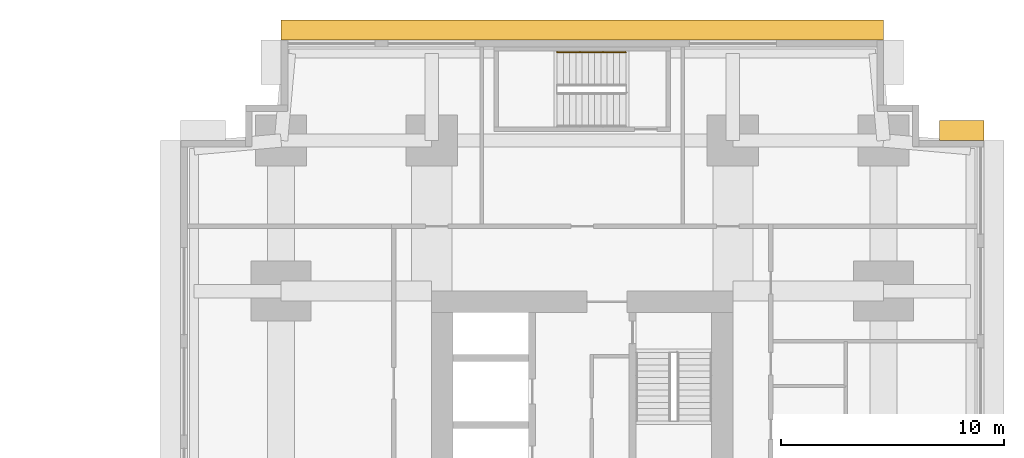
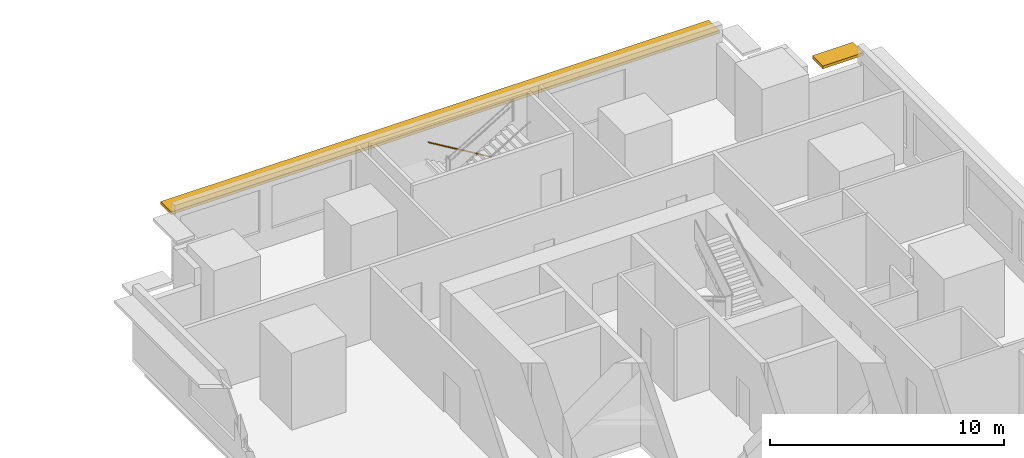
# One storey, part 11 of 11: 2 shading devices, 1 railing.
"""IFC4 building model written with IfcOpenShell, lengths in metres."""

from ifc_helpers import new_model, si_unit, direction, frame, origin, origin_2d, place, context, subcontext, project, spatial, rectangle, circle, extrude, material, layer, layer_set, type_object, element, save


model = new_model("IFC4")

# Units and contexts
model_context = context("Model", 3, precision=1e-05, world=origin(), true_north=direction((0.0, 1.0)))
body_context = subcontext(model_context, "Body", "Model", "MODEL_VIEW")
ifc_project = project(units=[si_unit("LENGTHUNIT", "METRE"), si_unit("AREAUNIT", "SQUARE_METRE"), si_unit("VOLUMEUNIT", "CUBIC_METRE"), si_unit("PLANEANGLEUNIT", "RADIAN"), si_unit("MASSUNIT", "GRAM", prefix="KILO")], contexts=[model_context])

# Site, building, storey
site_placement = place(None, origin())
site = spatial("IfcSite", under=ifc_project, at=site_placement, CompositionType="ELEMENT")
building_placement = place(site_placement, origin())
building = spatial("IfcBuilding", under=site, at=building_placement, Name="Namib Vertical Campus", CompositionType="ELEMENT")
storey_placement = place(building_placement, frame((0.0, 0.0, 41.0)))
storey = spatial("IfcBuildingStorey", under=building, at=storey_placement, Name="L09", CompositionType="ELEMENT", Elevation=41.0)

# Railing
ifc_material_1 = material(Name="Steel handrail", Category="steel")
railing_type = type_object("IfcRailingType", Name="Handrail 900", PredefinedType="HANDRAIL", material=ifc_material_1)
railing_placement = place(storey_placement, frame((82.949951171875, 39.949951171875, 0.166748046875)))
element("IfcRailing", 1, at=railing_placement, inside=storey, type_object=railing_type, Name="Handrail HR1 B-S3 L09 1", PredefinedType="HANDRAIL", context=body_context, shape_type="SweptSolid", body=[
    extrude(circle(Radius=0.02392578125, at=origin_2d()), frame((0.0, 0.0, 0.8759765625), z_axis=(-0.859290745958, 0.0, 0.51148745235), x_axis=(0.0, -1.0, 0.0)), (0.0, 0.0, 1.0), 3.584228515625),
    extrude(circle(Radius=0.008056640625, at=origin_2d()), frame((0.0, 0.0, 0.8759765625), z_axis=(0.0, 1.0, 0.0), x_axis=(0.0, 0.0, 1.0)), (0.0, 0.0, 1.0), 0.050048828125),
    extrude(circle(Radius=0.008056640625, at=origin_2d()), frame((-1.026611328125, 0.0, 1.48681640625), z_axis=(0.0, 1.0, 0.0), x_axis=(0.0, 0.0, 1.0)), (0.0, 0.0, 1.0), 0.050048828125),
    extrude(circle(Radius=0.008056640625, at=origin_2d()), frame((-2.05322265625, 0.0, 2.09814453125), z_axis=(0.0, 1.0, 0.0), x_axis=(0.0, 0.0, 1.0)), (0.0, 0.0, 1.0), 0.050048828125),
    extrude(circle(Radius=0.008056640625, at=origin_2d()), frame((-3.079833984375, 0.0, 2.708984375), z_axis=(0.0, 1.0, 0.0), x_axis=(0.0, 0.0, 1.0)), (0.0, 0.0, 1.0), 0.050048828125),
])

# Shading devices
ifc_material_2 = material(Name="Concrete C40/50 precast", Category="concrete")
ifc_layer = layer(ifc_material_2, 0.14990234375)
ifc_layer_set = layer_set([ifc_layer], Name="Concrete C40/50 precast")
shading_device_type = type_object("IfcShadingDeviceType", Name="Sunshade hood 900", PredefinedType="SHUTTER", material=ifc_layer_set)
shading_device_1_placement = place(storey_placement, frame((98.0, 36.449951171875, 3.10009765625), z_axis=(0.0, 0.0, 1.0), x_axis=(-1.0, 0.0, 0.0)))
element("IfcShadingDevice", 2, at=shading_device_1_placement, inside=storey, type_object=shading_device_type, Name="Sunshade SH1 L09 7", PredefinedType="SHUTTER", context=body_context, shape_type="SweptSolid", body=[
    extrude(rectangle(XDim=2.0, YDim=0.89990234375, at=origin_2d()), origin(), (0.0, 0.0, 1.0), 0.14990234375),
])
shading_device_2_placement = place(storey_placement, frame((81.0, 40.949951171875, 3.10009765625), z_axis=(0.0, 0.0, 1.0), x_axis=(-1.0, 0.0, 0.0)))
element("IfcShadingDevice", 3, at=shading_device_2_placement, inside=storey, type_object=shading_device_type, Name="Sunshade SH1 L09 11", PredefinedType="SHUTTER", context=body_context, shape_type="SweptSolid", body=[
    extrude(rectangle(XDim=27.0, YDim=0.89990234375, at=origin_2d()), origin(), (0.0, 0.0, 1.0), 0.14990234375),
])

save(model, "model.ifc")
